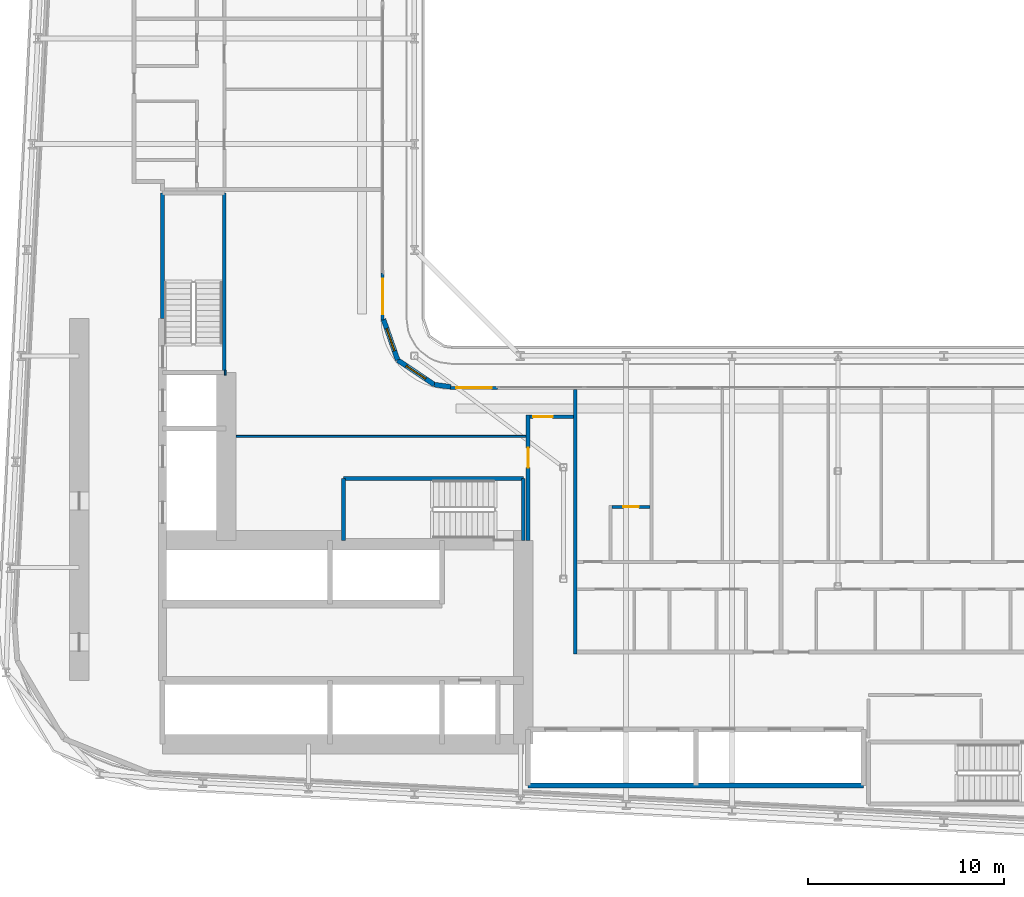
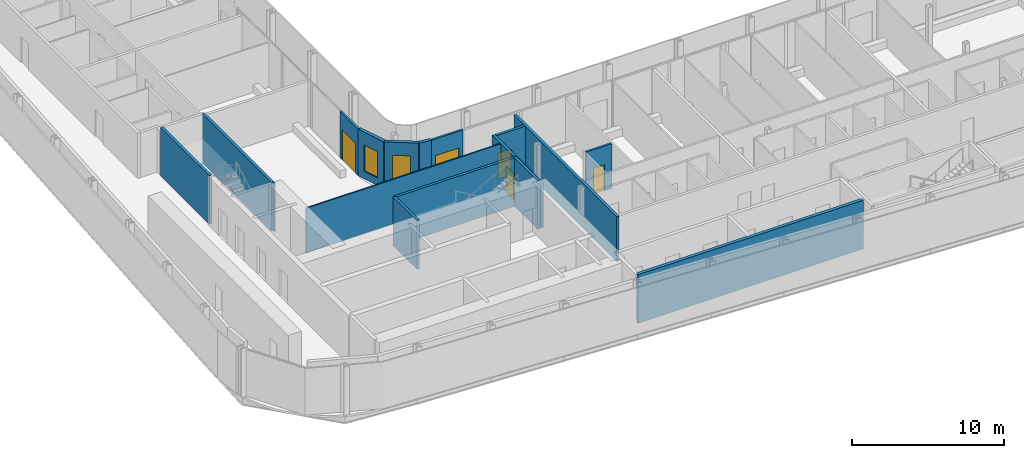
# One storey, part 13 of 28: 17 walls, 5 doors, 2 windows, 7 openings.
"""IFC4 building model written with IfcOpenShell, lengths in metres."""

from ifc_helpers import new_model, si_unit, direction, frame, frame_2d, origin, place, context, subcontext, project, spatial, rectangle, extrude, source, transform, mapped, material, layer, layer_set, type_object, element, fill, save


model = new_model("IFC4")

# Units and contexts
model_context = context("Model", 3, precision=1e-05, world=origin(), true_north=direction((0.0, 1.0)))
body_context = subcontext(model_context, "Body", "Model", "MODEL_VIEW")
ifc_project = project(units=[si_unit("LENGTHUNIT", "METRE"), si_unit("AREAUNIT", "SQUARE_METRE"), si_unit("VOLUMEUNIT", "CUBIC_METRE"), si_unit("PLANEANGLEUNIT", "RADIAN"), si_unit("MASSUNIT", "GRAM", prefix="KILO")], contexts=[model_context])

# Site, building, storey
site_placement = place(None, origin())
site = spatial("IfcSite", under=ifc_project, at=site_placement, CompositionType="ELEMENT")
building_placement = place(site_placement, origin())
building = spatial("IfcBuilding", under=site, at=building_placement, Name="Kheshtan School and Residences Tower", CompositionType="ELEMENT")
storey_placement = place(building_placement, frame((0.0, 0.0, 42.199951171875)))
storey = spatial("IfcBuildingStorey", under=building, at=storey_placement, Name="L09", CompositionType="ELEMENT", Elevation=42.199951171875)

# Wall, opening, door
ifc_material_1 = material(Name="Gypsum board on steel studs with fire boards", Category="steel")
ifc_layer_1 = layer(ifc_material_1, 0.199951171875)
ifc_layer_set_1 = layer_set([ifc_layer_1], Name="Corridor wall 200")
wall_type_1 = type_object("IfcWallType", Name="Corridor wall 200", PredefinedType="PARTITIONING", material=ifc_layer_set_1)
wall_1_placement = place(storey_placement, frame((53.39990234375, 36.198974609375, 0.0), z_axis=(0.0, 0.0, 1.0), x_axis=(0.0, 1.0, 0.0)))
wall_1 = element("IfcWall", 1, at=wall_1_placement, inside=storey, type_object=wall_type_1, Name="Partition L09-044", PredefinedType="PARTITIONING", context=body_context, shape_type="SweptSolid", body=[
    extrude(rectangle(XDim=6.401123046875, YDim=0.199951171875, at=frame_2d((3.20068359375, 0.0))), origin(), (0.0, 0.0, 1.0), 3.60009765625),
])
opening_1_placement = place(wall_1_placement, frame((3.708984375, 0.0, 0.0)))
opening_1 = element("IfcOpeningElement", 2, at=opening_1_placement, cuts=wall_1, Name="Opening D08-056", PredefinedType="OPENING", context=body_context, shape_type="SweptSolid", body=[
    extrude(rectangle(XDim=1.0, YDim=2.10009765625, at=frame_2d((0.5, 1.050048828125))), frame((0.0, 0.10986328125, 0.0), z_axis=(0.0, -1.0, 0.0), x_axis=(1.0, 0.0, 0.0)), (0.0, 0.0, 1.0), 0.219970703125),
])
ifc_material_2 = material(Name="Steel-framed fire-resisting door leaf", Category="steel")
door_type_1 = type_object("IfcDoorType", Name="Fire door FD60 1000 x 2100", OperationType="SINGLE_SWING_LEFT", PredefinedType="DOOR", material=ifc_material_2)
shared_shape_1 = source(origin(), body_context, "Body", "SweptSolid", [
    extrude(rectangle(XDim=1.0, YDim=2.10009765625, at=frame_2d((0.5, 1.050048828125))), frame((0.0, 0.02490234375, 0.0), z_axis=(0.0, -1.0, 0.0), x_axis=(1.0, 0.0, 0.0)), (0.0, 0.0, 1.0), 0.050048828125),
])
door_1_placement = place(opening_1_placement, origin())
door_1 = element("IfcDoor", 3, at=door_1_placement, inside=storey, type_object=door_type_1, Name="Door D08-056", OperationType="SINGLE_SWING_LEFT", OverallHeight=2.10009765625, OverallWidth=1.0, PredefinedType="DOOR", context=body_context, shape_type="MappedRepresentation", body=[
    mapped(shared_shape_1, transform((0.0, 0.0, 0.0), x_axis=(1.0, 0.0, 0.0), y_axis=(0.0, 1.0, 0.0), z_axis=(0.0, 0.0, 1.0), scale=1.0)),
])
fill(opening_1, door_1)

wall_2_placement = place(storey_placement, frame((53.5, 42.5, 0.0), z_axis=(0.0, 0.0, 1.0), x_axis=(1.0, 0.0, 0.0)))
wall_2 = element("IfcWall", 4, at=wall_2_placement, inside=storey, type_object=wall_type_1, Name="Partition L09-045", PredefinedType="PARTITIONING", context=body_context, shape_type="SweptSolid", body=[
    extrude(rectangle(XDim=2.199951171875, YDim=0.199951171875, at=frame_2d((1.10009765625, 0.0))), origin(), (0.0, 0.0, 1.0), 3.60009765625),
])
opening_2_placement = place(wall_2_placement, frame((0.14990234375, 0.0, 0.0)))
opening_2 = element("IfcOpeningElement", 5, at=opening_2_placement, cuts=wall_2, Name="Opening D08-057", PredefinedType="OPENING", context=body_context, shape_type="SweptSolid", body=[
    extrude(rectangle(XDim=1.0, YDim=2.10009765625, at=frame_2d((0.5, 1.050048828125))), frame((0.0, 0.10986328125, 0.0), z_axis=(0.0, -1.0, 0.0), x_axis=(1.0, 0.0, 0.0)), (0.0, 0.0, 1.0), 0.219970703125),
])
door_2_placement = place(opening_2_placement, origin())
door_2 = element("IfcDoor", 6, at=door_2_placement, inside=storey, type_object=door_type_1, Name="Door D08-057", OperationType="SINGLE_SWING_RIGHT", OverallHeight=2.10009765625, OverallWidth=1.0, PredefinedType="DOOR", context=body_context, shape_type="MappedRepresentation", body=[
    mapped(shared_shape_1, transform((0.0, 0.0, 0.0), x_axis=(1.0, 0.0, 0.0), y_axis=(0.0, 1.0, 0.0), z_axis=(0.0, 0.0, 1.0), scale=1.0)),
])
fill(opening_2, door_2)

# Wall, opening, window
ifc_material_3 = material(Name="Concrete C40/50 with ceramic cladding and mineral wool insulation", Category="concrete")
ifc_layer_2 = layer(ifc_material_3, 0.25)
ifc_layer_set_2 = layer_set([ifc_layer_2], Name="External wall 250 ceramic clad")
wall_type_2 = type_object("IfcWallType", Name="External wall 250 ceramic clad", PredefinedType="SOLIDWALL", material=ifc_layer_set_2)
wall_3_placement = place(storey_placement, frame((46.01806640625, 47.470947265625, 0.0), z_axis=(0.0, 0.0, 1.0), x_axis=(0.328791208903, -0.944402637093, 0.0)))
wall_3 = element("IfcWall", 7, at=wall_3_placement, inside=storey, type_object=wall_type_2, Name="External wall L09 9", PredefinedType="SOLIDWALL", context=body_context, shape_type="SweptSolid", body=[
    extrude(rectangle(XDim=2.20458984375, YDim=0.25, at=frame_2d((1.102294921875, 0.0))), origin(), (0.0, 0.0, 1.0), 3.75),
])
opening_3_placement = place(wall_3_placement, frame((0.5029296875, 0.0, 0.60009765625)))
opening_3 = element("IfcOpeningElement", 8, at=opening_3_placement, cuts=wall_3, Name="Opening WN-E", PredefinedType="OPENING", context=body_context, shape_type="SweptSolid", body=[
    extrude(rectangle(XDim=1.199951171875, YDim=2.10009765625, at=frame_2d((0.60009765625, 1.050048828125))), frame((0.0, 0.135009765625, 0.0), z_axis=(0.0, -1.0, 0.0), x_axis=(1.0, 0.0, 0.0)), (0.0, 0.0, 1.0), 0.27001953125),
])
ifc_material_4 = material(Name="Clear low-e glass in thermally broken aluminium frame", Category="aluminium")
window_type = type_object("IfcWindowType", Name="Window WN-E", PartitioningType="SINGLE_PANEL", PredefinedType="WINDOW", material=ifc_material_4)
shared_shape_2 = source(origin(), body_context, "Body", "SweptSolid", [
    extrude(rectangle(XDim=1.199951171875, YDim=2.10009765625, at=frame_2d((0.60009765625, 1.050048828125))), frame((0.0, 0.030029296875, 0.0), z_axis=(0.0, -1.0, 0.0), x_axis=(1.0, 0.0, 0.0)), (0.0, 0.0, 1.0), 0.06005859375),
])
window_1_placement = place(opening_3_placement, origin())
window_1 = element("IfcWindow", 9, at=window_1_placement, inside=storey, type_object=window_type, Name="Window L09 9", OverallHeight=2.10009765625, OverallWidth=1.199951171875, PartitioningType="SINGLE_PANEL", PredefinedType="WINDOW", context=body_context, shape_type="MappedRepresentation", body=[
    mapped(shared_shape_2, transform((0.0, 0.0, 0.0), x_axis=(1.0, 0.0, 0.0), y_axis=(0.0, 1.0, 0.0), z_axis=(0.0, 0.0, 1.0), scale=1.0)),
])
fill(opening_3, window_1)

wall_4_placement = place(storey_placement, frame((46.742919921875, 45.388916015625, 0.0), z_axis=(0.0, 0.0, 1.0), x_axis=(0.831449265529, -0.555600682912, 0.0)))
wall_4 = element("IfcWall", 10, at=wall_4_placement, inside=storey, type_object=wall_type_2, Name="External wall L09 10", PredefinedType="SOLIDWALL", context=body_context, shape_type="SweptSolid", body=[
    extrude(rectangle(XDim=2.25146484375, YDim=0.25, at=frame_2d((1.125732421875, 0.0))), origin(), (0.0, 0.0, 1.0), 3.75),
])
opening_4_placement = place(wall_4_placement, frame((0.52490234375, 0.0, 0.60009765625)))
opening_4 = element("IfcOpeningElement", 11, at=opening_4_placement, cuts=wall_4, Name="Opening WN-E", PredefinedType="OPENING", context=body_context, shape_type="SweptSolid", body=[
    extrude(rectangle(XDim=1.199951171875, YDim=2.10009765625, at=frame_2d((0.60009765625, 1.050048828125))), frame((0.0, 0.135009765625, 0.0), z_axis=(0.0, -1.0, 0.0), x_axis=(1.0, 0.0, 0.0)), (0.0, 0.0, 1.0), 0.27001953125),
])
window_2_placement = place(opening_4_placement, origin())
window_2 = element("IfcWindow", 12, at=window_2_placement, inside=storey, type_object=window_type, Name="Window L09 10", OverallHeight=2.10009765625, OverallWidth=1.199951171875, PartitioningType="SINGLE_PANEL", PredefinedType="WINDOW", context=body_context, shape_type="MappedRepresentation", body=[
    mapped(shared_shape_2, transform((0.0, 0.0, 0.0), x_axis=(1.0, 0.0, 0.0), y_axis=(0.0, 1.0, 0.0), z_axis=(0.0, 0.0, 1.0), scale=1.0)),
])
fill(opening_4, window_2)

# Wall
wall_5_placement = place(storey_placement, frame((48.614990234375, 44.137939453125, 0.0), z_axis=(0.0, 0.0, 1.0), x_axis=(0.990741504246, -0.135761819977, 0.0)))
element("IfcWall", 13, at=wall_5_placement, inside=storey, type_object=wall_type_2, Name="External wall L09 11", PredefinedType="SOLIDWALL", context=body_context, shape_type="SweptSolid", body=[
    extrude(rectangle(XDim=0.83984375, YDim=0.25, at=frame_2d((0.419921875, 0.0))), origin(), (0.0, 0.0, 1.0), 3.75),
])

# Wall, opening, door
ifc_material_5 = material(Name="Aluminium frame wall with insulated infill", Category="aluminium")
ifc_layer_3 = layer(ifc_material_5, 0.14990234375)
ifc_layer_set_3 = layer_set([ifc_layer_3], Name="Glazing frame wall 150")
wall_type_3 = type_object("IfcWallType", Name="Glazing frame wall 150", PredefinedType="SOLIDWALL", material=ifc_layer_set_3)
wall_6_placement = place(storey_placement, frame((45.97509765625, 49.830078125, 0.0), z_axis=(0.0, 0.0, 1.0), x_axis=(0.0, -1.0, 0.0)))
wall_6 = element("IfcWall", 14, at=wall_6_placement, inside=storey, type_object=wall_type_3, Name="Balcony door wall L09 8.5", PredefinedType="SOLIDWALL", context=body_context, shape_type="SweptSolid", body=[
    extrude(rectangle(XDim=2.400146484375, YDim=0.14990234375, at=frame_2d((1.2001953125, 0.0))), origin(), (0.0, 0.0, 1.0), 3.75),
])
opening_5_placement = place(wall_6_placement, frame((0.300048828125, 0.0, 0.0)))
opening_5 = element("IfcOpeningElement", 15, at=opening_5_placement, cuts=wall_6, Name="Opening BD", PredefinedType="OPENING", context=body_context, shape_type="SweptSolid", body=[
    extrude(rectangle(XDim=1.800048828125, YDim=2.39990234375, at=frame_2d((0.89990234375, 1.199951171875))), frame((0.0, 0.0849609375, 0.0), z_axis=(0.0, -1.0, 0.0), x_axis=(1.0, 0.0, 0.0)), (0.0, 0.0, 1.0), 0.169921875),
])
door_type_2 = type_object("IfcDoorType", Name="Balcony sliding door", OperationType="SLIDING_TO_LEFT", PredefinedType="DOOR", material=ifc_material_4)
shared_shape_3 = source(origin(), body_context, "Body", "SweptSolid", [
    extrude(rectangle(XDim=1.800048828125, YDim=2.39990234375, at=frame_2d((0.89990234375, 1.199951171875))), frame((0.0, 0.02490234375, 0.0), z_axis=(0.0, -1.0, 0.0), x_axis=(1.0, 0.0, 0.0)), (0.0, 0.0, 1.0), 0.050048828125),
])
door_3_placement = place(opening_5_placement, origin())
door_3 = element("IfcDoor", 16, at=door_3_placement, inside=storey, type_object=door_type_2, Name="Balcony door L09 8.5", OperationType="SLIDING_TO_LEFT", OverallHeight=2.39990234375, OverallWidth=1.800048828125, PredefinedType="DOOR", context=body_context, shape_type="MappedRepresentation", body=[
    mapped(shared_shape_3, transform((0.0, 0.0, 0.0), x_axis=(1.0, 0.0, 0.0), y_axis=(0.0, 1.0, 0.0), z_axis=(0.0, 0.0, 1.0), scale=1.0)),
])
fill(opening_5, door_3)

wall_7_placement = place(storey_placement, frame((49.429931640625, 43.97509765625, 0.0), z_axis=(0.0, 0.0, 1.0), x_axis=(1.0, 0.0, 0.0)))
wall_7 = element("IfcWall", 17, at=wall_7_placement, inside=storey, type_object=wall_type_3, Name="Balcony door wall L09 12.1", PredefinedType="SOLIDWALL", context=body_context, shape_type="SweptSolid", body=[
    extrude(rectangle(XDim=2.400146484375, YDim=0.14990234375, at=frame_2d((1.2001953125, 0.0))), origin(), (0.0, 0.0, 1.0), 3.75),
])
opening_6_placement = place(wall_7_placement, frame((0.300048828125, 0.0, 0.0)))
opening_6 = element("IfcOpeningElement", 18, at=opening_6_placement, cuts=wall_7, Name="Opening BD", PredefinedType="OPENING", context=body_context, shape_type="SweptSolid", body=[
    extrude(rectangle(XDim=1.800048828125, YDim=2.39990234375, at=frame_2d((0.89990234375, 1.199951171875))), frame((0.0, 0.0849609375, 0.0), z_axis=(0.0, -1.0, 0.0), x_axis=(1.0, 0.0, 0.0)), (0.0, 0.0, 1.0), 0.169921875),
])
door_4_placement = place(opening_6_placement, origin())
door_4 = element("IfcDoor", 19, at=door_4_placement, inside=storey, type_object=door_type_2, Name="Balcony door L09 12.1", OperationType="SLIDING_TO_LEFT", OverallHeight=2.39990234375, OverallWidth=1.800048828125, PredefinedType="DOOR", context=body_context, shape_type="MappedRepresentation", body=[
    mapped(shared_shape_3, transform((0.0, 0.0, 0.0), x_axis=(1.0, 0.0, 0.0), y_axis=(0.0, 1.0, 0.0), z_axis=(0.0, 0.0, 1.0), scale=1.0)),
])
fill(opening_6, door_4)

# Walls
ifc_material_6 = material(Name="Gypsum board on steel studs", Category="steel")
ifc_layer_4 = layer(ifc_material_6, 0.10009765625)
ifc_layer_set_4 = layer_set([ifc_layer_4], Name="Gypsum partition 100")
wall_type_4 = type_object("IfcWallType", Name="Gypsum partition 100", PredefinedType="PARTITIONING", material=ifc_layer_set_4)
wall_8_placement = place(storey_placement, frame((38.4990234375, 41.5, 0.0), z_axis=(0.0, 0.0, 1.0), x_axis=(1.0, 0.0, 0.0)))
element("IfcWall", 20, at=wall_8_placement, inside=storey, type_object=wall_type_4, Name="Partition L09-042", PredefinedType="PARTITIONING", context=body_context, shape_type="SweptSolid", body=[
    extrude(rectangle(XDim=14.801025390625, YDim=0.10009765625, at=frame_2d((7.400390625, 0.0))), origin(), (0.0, 0.0, 1.0), 3.60009765625),
])
ifc_material_7 = material(Name="Fire-board shaft wall system")
ifc_layer_5 = layer(ifc_material_7, 0.25)
ifc_layer_set_5 = layer_set([ifc_layer_5], Name="Shaft lining wall 250")
wall_type_5 = type_object("IfcWallType", Name="Shaft lining wall 250", PredefinedType="PARTITIONING", material=ifc_layer_set_5)
wall_9_placement = place(storey_placement, frame((53.39990234375, 23.699951171875, 0.0), z_axis=(0.0, 0.0, 1.0), x_axis=(1.0, 0.0, 0.0)))
element("IfcWall", 21, at=wall_9_placement, inside=storey, type_object=wall_type_5, Name="Shaft lining wall", PredefinedType="PARTITIONING", context=body_context, shape_type="SweptSolid", body=[
    extrude(rectangle(XDim=17.10009765625, YDim=0.25, at=frame_2d((8.550048828125, 0.0))), origin(), (0.0, 0.0, 1.0), 3.900146484375),
])
wall_10_placement = place(storey_placement, frame((37.89990234375, 44.75, 0.0), z_axis=(0.0, 0.0, 1.0), x_axis=(1.0, 0.0, 0.0)))
element("IfcWall", 22, at=wall_10_placement, inside=storey, type_object=wall_type_5, Name="Shaft lining wall", PredefinedType="PARTITIONING", context=body_context, shape_type="SweptSolid", body=[
    extrude(rectangle(XDim=0.10009765625, YDim=0.25, at=frame_2d((0.050048828125, 0.0))), origin(), (0.0, 0.0, 1.0), 3.900146484375),
])
ifc_material_8 = material(Name="Concrete C40/50", Category="concrete")
ifc_layer_6 = layer(ifc_material_8, 0.199951171875)
ifc_layer_set_6 = layer_set([ifc_layer_6], Name="Stair enclosure wall 200 Concrete C40/50")
wall_type_6 = type_object("IfcWallType", Name="Stair enclosure wall 200 Concrete C40/50", PredefinedType="SHEAR", material=ifc_layer_set_6)
wall_11_placement = place(storey_placement, frame((43.989990234375, 39.35009765625, 0.0), z_axis=(0.0, 0.0, 1.0), x_axis=(1.0, 0.0, 0.0)))
element("IfcWall", 23, at=wall_11_placement, inside=storey, type_object=wall_type_6, Name="Stair enclosure wall ST1", PredefinedType="SHEAR", context=body_context, shape_type="SweptSolid", body=[
    extrude(rectangle(XDim=9.159912109375, YDim=0.199951171875, at=frame_2d((4.580078125, 0.0))), origin(), (0.0, 0.0, 1.0), 3.900146484375),
])
for number, where, z_axis, x_axis, name in (
    (24, (43.989990234375, 36.199951171875, 0.0), (0.0, 0.0, 1.0), (0.0, 1.0, 0.0), "Stair enclosure wall ST1"),
    (25, (53.14990234375, 36.199951171875, 0.0), (0.0, 0.0, 1.0), (0.0, 1.0, 0.0), "Stair enclosure wall ST1"),
):
    element("IfcWall", number, at=place(storey_placement, frame(where, z_axis=z_axis, x_axis=x_axis)), inside=storey, type_object=wall_type_6, Name=name, PredefinedType="SHEAR", context=body_context, shape_type="SweptSolid", body=[
        extrude(rectangle(XDim=3.150146484375, YDim=0.199951171875, at=frame_2d((1.5751953125, 0.0))), origin(), (0.0, 0.0, 1.0), 3.900146484375),
    ])
wall_12_placement = place(storey_placement, frame((34.75, 47.5, 0.0), z_axis=(0.0, 0.0, 1.0), x_axis=(0.0, 1.0, 0.0)))
element("IfcWall", 26, at=wall_12_placement, inside=storey, type_object=wall_type_6, Name="Stair enclosure wall ST2", PredefinedType="SHEAR", context=body_context, shape_type="SweptSolid", body=[
    extrude(rectangle(XDim=6.409912109375, YDim=0.199951171875, at=frame_2d((3.205078125, 0.0))), origin(), (0.0, 0.0, 1.0), 3.900146484375),
])
wall_13_placement = place(storey_placement, frame((37.89990234375, 44.75, 0.0), z_axis=(0.0, 0.0, 1.0), x_axis=(0.0, 1.0, 0.0)))
element("IfcWall", 27, at=wall_13_placement, inside=storey, type_object=wall_type_6, Name="Stair enclosure wall ST2", PredefinedType="SHEAR", context=body_context, shape_type="SweptSolid", body=[
    extrude(rectangle(XDim=9.159912109375, YDim=0.199951171875, at=frame_2d((4.580078125, 0.0))), origin(), (0.0, 0.0, 1.0), 3.900146484375),
])
ifc_material_9 = material(Name="Twin gypsum board on steel studs with mineral wool", Category="steel")
ifc_layer_7 = layer(ifc_material_9, 0.199951171875)
ifc_layer_set_7 = layer_set([ifc_layer_7], Name="Unit demising wall 200")
wall_type_7 = type_object("IfcWallType", Name="Unit demising wall 200", PredefinedType="PARTITIONING", material=ifc_layer_set_7)
wall_14_placement = place(storey_placement, frame((55.800048828125, 30.39990234375, 0.0), z_axis=(0.0, 0.0, 1.0), x_axis=(0.0, 1.0, 0.0)))
element("IfcWall", 28, at=wall_14_placement, inside=storey, type_object=wall_type_7, Name="Partition L09-046", PredefinedType="PARTITIONING", context=body_context, shape_type="SweptSolid", body=[
    extrude(rectangle(XDim=13.5, YDim=0.199951171875, at=frame_2d((6.75, 0.0))), origin(), (0.0, 0.0, 1.0), 3.60009765625),
])

# Wall, opening, door
ifc_material_10 = material(Name="Moisture-resistant gypsum board on steel studs", Category="steel")
ifc_layer_8 = layer(ifc_material_10, 0.14990234375)
ifc_layer_set_8 = layer_set([ifc_layer_8], Name="Wet-room partition 150")
wall_type_8 = type_object("IfcWallType", Name="Wet-room partition 150", PredefinedType="PARTITIONING", material=ifc_layer_set_8)
wall_15_placement = place(storey_placement, frame((57.675048828125, 37.89990234375, 0.0), z_axis=(0.0, 0.0, 1.0), x_axis=(1.0, 0.0, 0.0)))
wall_15 = element("IfcWall", 29, at=wall_15_placement, inside=storey, type_object=wall_type_8, Name="Partition L09-051", PredefinedType="PARTITIONING", context=body_context, shape_type="SweptSolid", body=[
    extrude(rectangle(XDim=1.949951171875, YDim=0.14990234375, at=frame_2d((0.97509765625, 0.0))), origin(), (0.0, 0.0, 1.0), 3.60009765625),
])
opening_7_placement = place(wall_15_placement, frame((0.574951171875, 0.0, 0.0)))
opening_7 = element("IfcOpeningElement", 30, at=opening_7_placement, cuts=wall_15, Name="Opening D08-003", PredefinedType="OPENING", context=body_context, shape_type="SweptSolid", body=[
    extrude(rectangle(XDim=0.800048828125, YDim=2.10009765625, at=frame_2d((0.39990234375, 1.050048828125))), frame((0.0, 0.0849609375, 0.0), z_axis=(0.0, -1.0, 0.0), x_axis=(1.0, 0.0, 0.0)), (0.0, 0.0, 1.0), 0.169921875),
])
ifc_material_11 = material(Name="Veneered timber door leaf", Category="wood")
door_type_3 = type_object("IfcDoorType", Name="Door 800 x 2100", OperationType="SINGLE_SWING_LEFT", PredefinedType="DOOR", material=ifc_material_11)
shared_shape_4 = source(origin(), body_context, "Body", "SweptSolid", [
    extrude(rectangle(XDim=0.800048828125, YDim=2.10009765625, at=frame_2d((0.39990234375, 1.050048828125))), frame((0.0, 0.02490234375, 0.0), z_axis=(0.0, -1.0, 0.0), x_axis=(1.0, 0.0, 0.0)), (0.0, 0.0, 1.0), 0.050048828125),
])
door_5_placement = place(opening_7_placement, origin())
door_5 = element("IfcDoor", 31, at=door_5_placement, inside=storey, type_object=door_type_3, Name="Door D08-003", OperationType="SINGLE_SWING_LEFT", OverallHeight=2.10009765625, OverallWidth=0.800048828125, PredefinedType="DOOR", context=body_context, shape_type="MappedRepresentation", body=[
    mapped(shared_shape_4, transform((0.0, 0.0, 0.0), x_axis=(1.0, 0.0, 0.0), y_axis=(0.0, 1.0, 0.0), z_axis=(0.0, 0.0, 1.0), scale=1.0)),
])
fill(opening_7, door_5)

save(model, "model.ifc")
